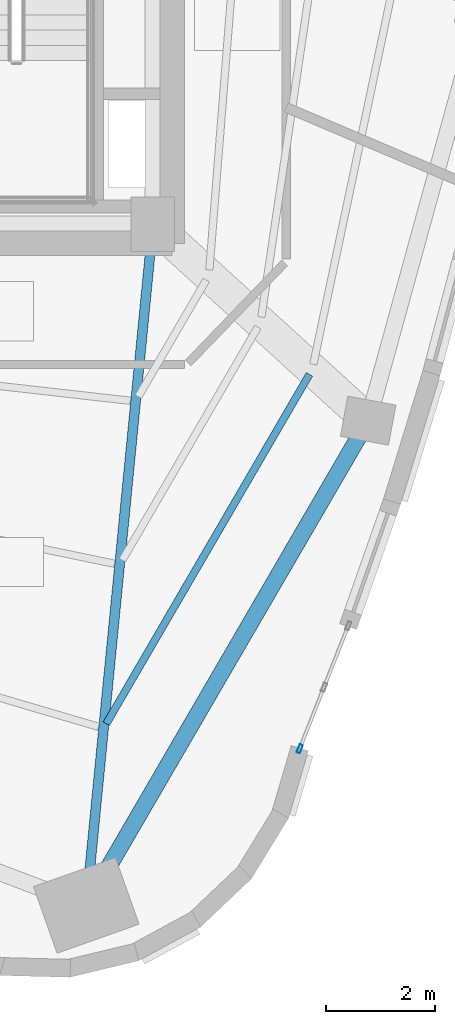
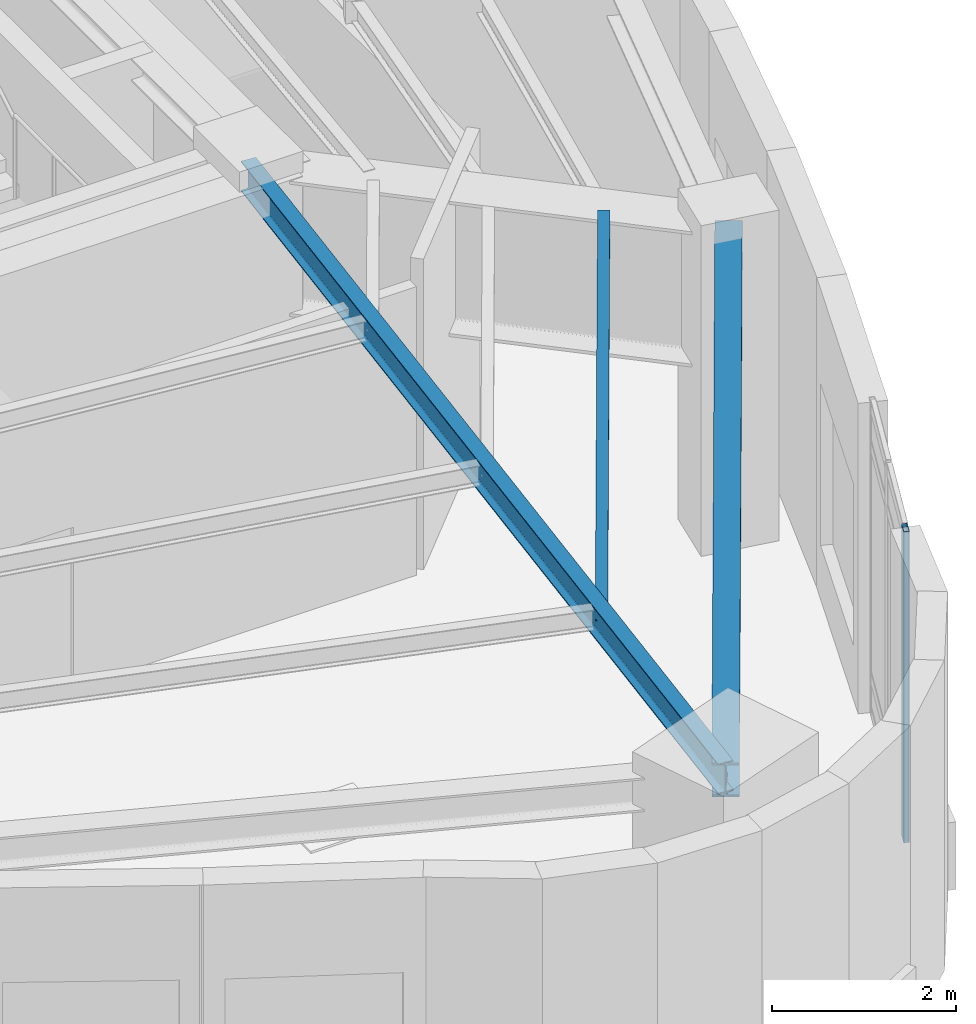
# One storey, part 2 of 14: 3 beams, 1 member, 1 element without a shape of its own.
"""IFC4 building model written with IfcOpenShell, lengths in metres."""

from ifc_helpers import new_model, si_unit, direction, frame, origin, origin_2d, place, context, subcontext, project, spatial, hollow_rectangle, i_section, extrude, material, layer, layer_set, material_profile, profile_set, type_object, element, aggregate, save


model = new_model("IFC4")

# Units and contexts
model_context = context("Model", 3, precision=1e-05, world=origin(), true_north=direction((0.0, 1.0)))
body_context = subcontext(model_context, "Body", "Model", "MODEL_VIEW")
ifc_project = project(units=[si_unit("LENGTHUNIT", "METRE"), si_unit("AREAUNIT", "SQUARE_METRE"), si_unit("VOLUMEUNIT", "CUBIC_METRE"), si_unit("PLANEANGLEUNIT", "RADIAN"), si_unit("MASSUNIT", "GRAM", prefix="KILO")], contexts=[model_context])

# Site, building, storey
site_placement = place(None, origin())
site = spatial("IfcSite", under=ifc_project, at=site_placement, CompositionType="ELEMENT")
building_placement = place(site_placement, origin())
building = spatial("IfcBuilding", under=site, at=building_placement, Name="Ndelora Gate Hotel", CompositionType="ELEMENT")
storey_placement = place(building_placement, frame((0.0, 0.0, 281.60009765625)))
storey = spatial("IfcBuildingStorey", under=building, at=storey_placement, Name="L70", CompositionType="ELEMENT", Elevation=281.60009765625)

# Beams
ifc_material_1 = material(Name="Steel S355", Category="steel")
ifc_material_profile_1 = material_profile(ifc_material_1, i_section(OverallWidth=0.135009765625, OverallDepth=0.27001953125, WebThickness=0.006591796875, FlangeThickness=0.01025390625, FilletRadius=0.014892578125, at=origin_2d()), Name="IPE 270")
ifc_profile_set_1 = profile_set([ifc_material_profile_1], Name="Steel S355")
beam_type_1 = type_object("IfcBeamType", Name="BM-JST-270", PredefinedType="JOIST", material=ifc_profile_set_1)
beam_1_placement = place(storey_placement, frame((7.14208984375, -15.78271484375, 3.98486328125), z_axis=(0.502744947519, 0.864434796699, 0.0), x_axis=(-0.864434796699, 0.502744947519, 0.0)))
element("IfcBeam", 1, at=beam_1_placement, inside=storey, type_object=beam_type_1, Name="L70 Secondary Composite Floor Joist OUT-5", PredefinedType="JOIST", context=body_context, shape_type="SweptSolid", body=[
    extrude(i_section(OverallWidth=0.135009765625, OverallDepth=0.27001953125, WebThickness=0.006591796875, FlangeThickness=0.01025390625, FilletRadius=0.014892578125, at=origin_2d()), origin(), (0.0, 0.0, 1.0), 7.430419921875),
])
ifc_material_profile_2 = material_profile(ifc_material_1, i_section(OverallWidth=0.179931640625, OverallDepth=0.39990234375, WebThickness=0.008544921875, FlangeThickness=0.013427734375, FilletRadius=0.02099609375, at=origin_2d()), Name="IPE 400")
ifc_profile_set_2 = profile_set([ifc_material_profile_2], Name="Steel S355")
beam_type_2 = type_object("IfcBeamType", Name="BM-RAD-400", PredefinedType="BEAM", material=ifc_profile_set_2)
beam_2_placement = place(storey_placement, frame((8.0, -6.60009765625, 3.929931640625), z_axis=(-0.097513783863, -0.995234174432, 0.0), x_axis=(0.995234174432, -0.097513783863, 0.0)))
element("IfcBeam", 2, at=beam_2_placement, inside=storey, type_object=beam_type_2, Name="L70 Radial Floor Girder 5", PredefinedType="BEAM", context=body_context, shape_type="SweptSolid", body=[
    extrude(i_section(OverallWidth=0.179931640625, OverallDepth=0.39990234375, WebThickness=0.008544921875, FlangeThickness=0.013427734375, FilletRadius=0.02099609375, at=origin_2d()), origin(), (0.0, 0.0, 1.0), 12.5859375),
])
ifc_material_profile_3 = material_profile(ifc_material_1, i_section(OverallWidth=0.300048828125, OverallDepth=0.449951171875, WebThickness=0.013916015625, FlangeThickness=0.02587890625, FilletRadius=0.027099609375, at=origin_2d()), Name="HEB 450")
ifc_profile_set_3 = profile_set([ifc_material_profile_3], Name="Steel S355")
beam_type_3 = type_object("IfcBeamType", Name="BM-RING-450", PredefinedType="SPANDREL", material=ifc_profile_set_3)
beam_3_placement = place(storey_placement, frame((6.772705078125, -19.1259765625, 3.89501953125), z_axis=(0.502738555714, 0.864438514065, 0.0), x_axis=(-0.864438514065, 0.502738555714, 0.0)))
element("IfcBeam", 3, at=beam_3_placement, inside=storey, type_object=beam_type_3, Name="L70 Perimeter Spandrel Girder 5", PredefinedType="SPANDREL", context=body_context, shape_type="SweptSolid", body=[
    extrude(i_section(OverallWidth=0.300048828125, OverallDepth=0.449951171875, WebThickness=0.013916015625, FlangeThickness=0.02587890625, FilletRadius=0.027099609375, at=origin_2d()), origin(), (0.0, 0.0, 1.0), 10.311767578125),
])

# Curtain wall, member
ifc_material_2 = material(Name="Bronze Anodised Unitised Aluminium and Low-E Glass", Category="aluminium")
ifc_layer = layer(ifc_material_2, 0.219970703125)
ifc_layer_set = layer_set([ifc_layer], Name="Bronze Anodised Unitised Aluminium and Low-E Glass")
curtain_wall_type = type_object("IfcCurtainWallType", Name="CW-SYS-6", PredefinedType="NOTDEFINED", material=ifc_layer_set)
curtain_wall_placement = place(storey_placement, origin())
curtain_wall = element("IfcCurtainWall", 4, at=curtain_wall_placement, inside=storey, type_object=curtain_wall_type, Name="L70 Crown Sky-Restaurant & Cocktail Bar Curtain Wall 2", PredefinedType="NOTDEFINED")
ifc_material_3 = material(Name="Bronze Anodised Aluminium 6063-T6", Category="aluminium")
ifc_material_profile_4 = material_profile(ifc_material_3, hollow_rectangle(XDim=0.06494140625, YDim=0.159912109375, WallThickness=0.00390625, InnerFilletRadius=0.00390625, OuterFilletRadius=0.008056640625, at=origin_2d()), Name="ALU 160x65x4")
ifc_profile_set_4 = profile_set([ifc_material_profile_4], Name="Bronze Anodised Aluminium 6063-T6")
member_type = type_object("IfcMemberType", Name="MB-CW-MUL150", PredefinedType="MULLION", material=ifc_profile_set_4)
member_placement = place(storey_placement, frame((10.698486328125, -16.24755859375, -0.004150390625), z_axis=(0.0, 0.0, 1.0), x_axis=(-0.929944476416, 0.367699973869, 0.0)))
member = element("IfcMember", 5, at=member_placement, type_object=member_type, Name="CW6 mullion 1", PredefinedType="MULLION", context=body_context, shape_type="SweptSolid", body=[
    extrude(hollow_rectangle(XDim=0.06494140625, YDim=0.159912109375, WallThickness=0.00390625, InnerFilletRadius=0.00390625, OuterFilletRadius=0.008056640625, at=origin_2d()), origin(), (0.0, 0.0, 1.0), 4.137939453125),
])
aggregate(curtain_wall, [member])

save(model, "model.ifc")
